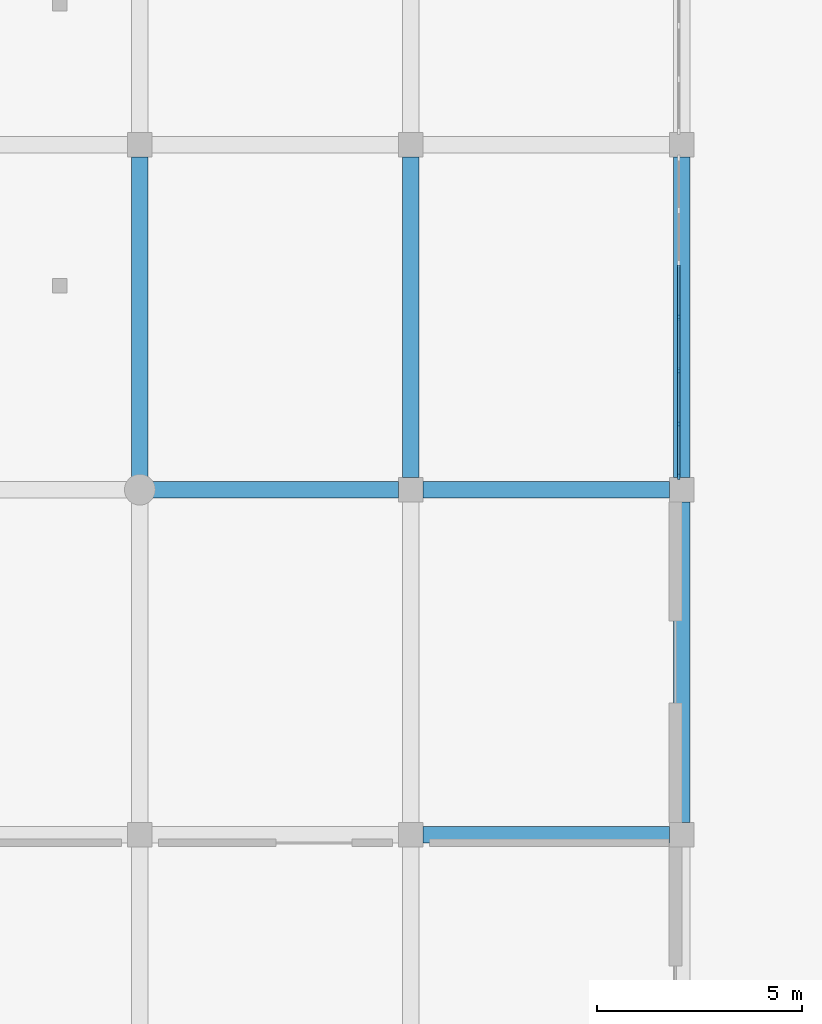
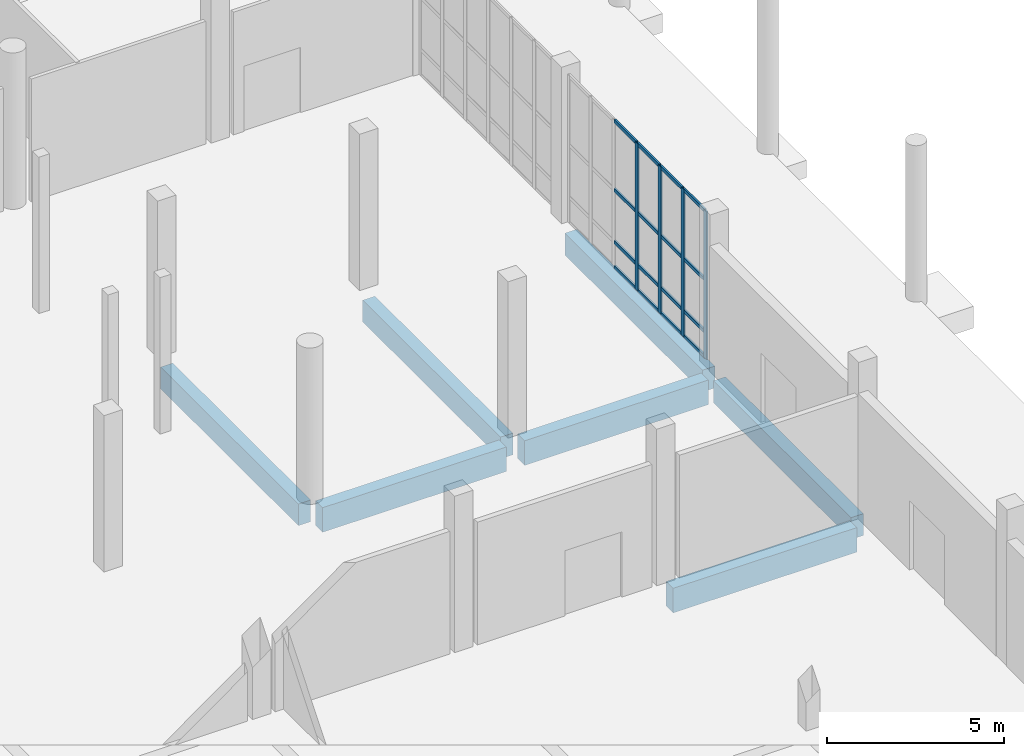
# One storey, part 5 of 64: 20 members, 7 beams, 1 element without a shape of its own.
"""IFC4 building model written with IfcOpenShell, lengths in metres."""

from ifc_helpers import new_model, si_unit, direction, frame, origin, origin_2d, place, context, subcontext, project, spatial, rectangle, extrude, material, material_profile, profile_set, type_object, element, aggregate, save


model = new_model("IFC4")

# Units and contexts
model_context = context("Model", 3, precision=1e-05, world=origin(), true_north=direction((0.0, 1.0)))
body_context = subcontext(model_context, "Body", "Model", "MODEL_VIEW")
ifc_project = project(units=[si_unit("LENGTHUNIT", "METRE"), si_unit("AREAUNIT", "SQUARE_METRE"), si_unit("VOLUMEUNIT", "CUBIC_METRE"), si_unit("PLANEANGLEUNIT", "RADIAN"), si_unit("MASSUNIT", "GRAM", prefix="KILO")], contexts=[model_context])

# Site, building, storey
site_placement = place(None, origin())
site = spatial("IfcSite", under=ifc_project, at=site_placement, CompositionType="ELEMENT")
building_placement = place(site_placement, origin())
building = spatial("IfcBuilding", under=site, at=building_placement, Name="Qaldarim Faculty of Natural and Applied Sciences", CompositionType="ELEMENT")
storey_placement = place(building_placement, origin())
storey = spatial("IfcBuildingStorey", under=building, at=storey_placement, Name="L00", CompositionType="ELEMENT", Elevation=0.0)

# Beams
ifc_material_1 = material(Name="Concrete C50/60", Category="concrete")
ifc_material_profile_1 = material_profile(ifc_material_1, rectangle(XDim=0.39990234375, YDim=0.75, at=origin_2d()), Name="RC-B400x750")
ifc_profile_set_1 = profile_set([ifc_material_profile_1], Name="Concrete C50/60")
beam_type_1 = type_object("IfcBeamType", Name="LabGirder-RC400x750", PredefinedType="BEAM", material=ifc_profile_set_1)
for number, where, z_axis, x_axis, name in (
    (1, (33.0, 59.10009765625, -0.735107421875), (0.0, 1.0, 0.0), (-1.0, 0.0, 0.0), "Beam RC-B400x750 B01 X06/Y08-Y09"),
    (2, (39.60009765625, 59.10009765625, -0.735107421875), (0.0, 1.0, 0.0), (-1.0, 0.0, 0.0), "Beam RC-B400x750 B01 X07/Y08-Y09"),
):
    element("IfcBeam", number, at=place(storey_placement, frame(where, z_axis=z_axis, x_axis=x_axis)), inside=storey, type_object=beam_type_1, Name=name, PredefinedType="BEAM", context=body_context, shape_type="SweptSolid", body=[
        extrude(rectangle(XDim=0.39990234375, YDim=0.75, at=origin_2d()), origin(), (0.0, 0.0, 1.0), 7.7998046875),
    ])
beam_1_placement = place(storey_placement, frame((46.199951171875, 50.699951171875, -0.735107421875), z_axis=(0.0, 1.0, 0.0), x_axis=(-1.0, 0.0, 0.0)))
element("IfcBeam", 3, at=beam_1_placement, inside=storey, type_object=beam_type_1, Name="Beam RC-B400x750 B01 X08/Y07-Y08", PredefinedType="BEAM", context=body_context, shape_type="SweptSolid", body=[
    extrude(rectangle(XDim=0.39990234375, YDim=0.75, at=origin_2d()), origin(), (0.0, 0.0, 1.0), 7.800048828125),
])
beam_2_placement = place(storey_placement, frame((46.199951171875, 59.10009765625, -0.735107421875), z_axis=(0.0, 1.0, 0.0), x_axis=(-1.0, 0.0, 0.0)))
element("IfcBeam", 4, at=beam_2_placement, inside=storey, type_object=beam_type_1, Name="Beam RC-B400x750 B01 X08/Y08-Y09", PredefinedType="BEAM", context=body_context, shape_type="SweptSolid", body=[
    extrude(rectangle(XDim=0.39990234375, YDim=0.75, at=origin_2d()), origin(), (0.0, 0.0, 1.0), 7.7998046875),
])

# Curtain wall, members
ifc_material_2 = material(Name="Anodised aluminium AW-6063", Category="aluminium")
curtain_wall_type = type_object("IfcCurtainWallType", Name="CurtainWallSystem-M1300", PredefinedType="USERDEFINED", material=ifc_material_2)
curtain_wall_placement = place(storey_placement, origin())
curtain_wall = element("IfcCurtainWall", 5, at=curtain_wall_placement, inside=storey, type_object=curtain_wall_type, Name="Curtain wall CW-L00-E-X07Y08", ObjectType="STICK CURTAIN WALL", PredefinedType="USERDEFINED")
ifc_material_profile_2 = material_profile(ifc_material_2, rectangle(XDim=0.06005859375, YDim=0.14990234375, at=origin_2d()), Name="ALU-M60x150")
ifc_profile_set_2 = profile_set([ifc_material_profile_2], Name="Anodised aluminium AW-6063")
member_type_1 = type_object("IfcMemberType", Name="Mullion-ALU60x150", PredefinedType="MULLION", material=ifc_profile_set_2)
member_1_placement = place(storey_placement, frame((46.1201171875, 59.125, 0.0), z_axis=(0.0, 0.0, 1.0), x_axis=(-1.0, 0.0, 0.0)))
member_1 = element("IfcMember", 6, at=member_1_placement, type_object=member_type_1, Name="Mullion 1 of CW-L00-E-X07Y08", PredefinedType="MULLION", context=body_context, shape_type="SweptSolid", body=[
    extrude(rectangle(XDim=0.06005859375, YDim=0.14990234375, at=origin_2d()), origin(), (0.0, 0.0, 1.0), 5.10009765625),
])
member_2_placement = place(storey_placement, frame((46.1201171875, 60.396728515625, 0.0), z_axis=(0.0, 0.0, 1.0), x_axis=(-1.0, 0.0, 0.0)))
member_2 = element("IfcMember", 7, at=member_2_placement, type_object=member_type_1, Name="Mullion 2 of CW-L00-E-X07Y08", PredefinedType="MULLION", context=body_context, shape_type="SweptSolid", body=[
    extrude(rectangle(XDim=0.06005859375, YDim=0.14990234375, at=origin_2d()), origin(), (0.0, 0.0, 1.0), 5.10009765625),
])
member_3_placement = place(storey_placement, frame((46.1201171875, 61.6982421875, 0.0), z_axis=(0.0, 0.0, 1.0), x_axis=(-1.0, 0.0, 0.0)))
member_3 = element("IfcMember", 8, at=member_3_placement, type_object=member_type_1, Name="Mullion 3 of CW-L00-E-X07Y08", PredefinedType="MULLION", context=body_context, shape_type="SweptSolid", body=[
    extrude(rectangle(XDim=0.06005859375, YDim=0.14990234375, at=origin_2d()), origin(), (0.0, 0.0, 1.0), 5.10009765625),
])
member_4_placement = place(storey_placement, frame((46.1201171875, 63.0, 0.0), z_axis=(0.0, 0.0, 1.0), x_axis=(-1.0, 0.0, 0.0)))
member_4 = element("IfcMember", 9, at=member_4_placement, type_object=member_type_1, Name="Mullion 4 of CW-L00-E-X07Y08", PredefinedType="MULLION", context=body_context, shape_type="SweptSolid", body=[
    extrude(rectangle(XDim=0.06005859375, YDim=0.14990234375, at=origin_2d()), origin(), (0.0, 0.0, 1.0), 5.10009765625),
])

# Beams
ifc_material_profile_3 = material_profile(ifc_material_1, rectangle(XDim=0.39990234375, YDim=0.85009765625, at=origin_2d()), Name="RC-B400x850")
ifc_profile_set_3 = profile_set([ifc_material_profile_3], Name="Concrete C50/60")
beam_type_2 = type_object("IfcBeamType", Name="PodiumGirder-RC400x850", PredefinedType="BEAM", material=ifc_profile_set_3)
for number, where, z_axis, x_axis, name in (
    (10, (39.89990234375, 50.39990234375, -0.784912109375), (1.0, 0.0, 0.0), (0.0, 1.0, 0.0), "Beam RC-B400x850 B01 X07-X08/Y07"),
    (11, (33.300048828125, 58.800048828125, -0.784912109375), (1.0, 0.0, 0.0), (0.0, 1.0, 0.0), "Beam RC-B400x850 B01 X06-X07/Y08"),
    (12, (39.89990234375, 58.800048828125, -0.784912109375), (1.0, 0.0, 0.0), (0.0, 1.0, 0.0), "Beam RC-B400x850 B01 X07-X08/Y08"),
):
    element("IfcBeam", number, at=place(storey_placement, frame(where, z_axis=z_axis, x_axis=x_axis)), inside=storey, type_object=beam_type_2, Name=name, PredefinedType="BEAM", context=body_context, shape_type="SweptSolid", body=[
        extrude(rectangle(XDim=0.39990234375, YDim=0.85009765625, at=origin_2d()), origin(), (0.0, 0.0, 1.0), 6.0),
    ])

# Member
ifc_material_profile_4 = material_profile(ifc_material_2, rectangle(XDim=0.06005859375, YDim=0.1201171875, at=origin_2d()), Name="ALU-T60x120")
ifc_profile_set_4 = profile_set([ifc_material_profile_4], Name="Anodised aluminium AW-6063")
member_type_2 = type_object("IfcMemberType", Name="Transom-ALU60x120", PredefinedType="USERDEFINED", material=ifc_profile_set_4)
member_5_placement = place(storey_placement, frame((46.1201171875, 59.155029296875, 0.030029296875), z_axis=(0.0, 1.0, 0.0), x_axis=(-1.0, 0.0, 0.0)))
member_5 = element("IfcMember", 13, at=member_5_placement, type_object=member_type_2, Name="Transom 1-1 of CW-L00-E-X07Y08", ObjectType="TRANSOM", PredefinedType="USERDEFINED", context=body_context, shape_type="SweptSolid", body=[
    extrude(rectangle(XDim=0.06005859375, YDim=0.1201171875, at=origin_2d()), origin(), (0.0, 0.0, 1.0), 1.211669921875),
])

member_6_placement = place(storey_placement, frame((46.1201171875, 59.155029296875, 0.89990234375), z_axis=(0.0, 1.0, 0.0), x_axis=(-1.0, 0.0, 0.0)))
member_6 = element("IfcMember", 14, at=member_6_placement, type_object=member_type_2, Name="Transom 1-2 of CW-L00-E-X07Y08", ObjectType="TRANSOM", PredefinedType="USERDEFINED", context=body_context, shape_type="SweptSolid", body=[
    extrude(rectangle(XDim=0.06005859375, YDim=0.1201171875, at=origin_2d()), origin(), (0.0, 0.0, 1.0), 1.211669921875),
])

member_7_placement = place(storey_placement, frame((46.1201171875, 59.155029296875, 2.699951171875), z_axis=(0.0, 1.0, 0.0), x_axis=(-1.0, 0.0, 0.0)))
member_7 = element("IfcMember", 15, at=member_7_placement, type_object=member_type_2, Name="Transom 1-3 of CW-L00-E-X07Y08", ObjectType="TRANSOM", PredefinedType="USERDEFINED", context=body_context, shape_type="SweptSolid", body=[
    extrude(rectangle(XDim=0.06005859375, YDim=0.1201171875, at=origin_2d()), origin(), (0.0, 0.0, 1.0), 1.211669921875),
])

member_8_placement = place(storey_placement, frame((46.1201171875, 59.155029296875, 5.070068359375), z_axis=(0.0, 1.0, 0.0), x_axis=(-1.0, 0.0, 0.0)))
member_8 = element("IfcMember", 16, at=member_8_placement, type_object=member_type_2, Name="Transom 1-4 of CW-L00-E-X07Y08", ObjectType="TRANSOM", PredefinedType="USERDEFINED", context=body_context, shape_type="SweptSolid", body=[
    extrude(rectangle(XDim=0.06005859375, YDim=0.1201171875, at=origin_2d()), origin(), (0.0, 0.0, 1.0), 1.211669921875),
])

member_9_placement = place(storey_placement, frame((46.1201171875, 60.4267578125, 0.030029296875), z_axis=(0.0, 1.0, 0.0), x_axis=(-1.0, 0.0, 0.0)))
member_9 = element("IfcMember", 17, at=member_9_placement, type_object=member_type_2, Name="Transom 2-1 of CW-L00-E-X07Y08", ObjectType="TRANSOM", PredefinedType="USERDEFINED", context=body_context, shape_type="SweptSolid", body=[
    extrude(rectangle(XDim=0.06005859375, YDim=0.1201171875, at=origin_2d()), origin(), (0.0, 0.0, 1.0), 1.241455078125),
])

member_10_placement = place(storey_placement, frame((46.1201171875, 60.4267578125, 0.89990234375), z_axis=(0.0, 1.0, 0.0), x_axis=(-1.0, 0.0, 0.0)))
member_10 = element("IfcMember", 18, at=member_10_placement, type_object=member_type_2, Name="Transom 2-2 of CW-L00-E-X07Y08", ObjectType="TRANSOM", PredefinedType="USERDEFINED", context=body_context, shape_type="SweptSolid", body=[
    extrude(rectangle(XDim=0.06005859375, YDim=0.1201171875, at=origin_2d()), origin(), (0.0, 0.0, 1.0), 1.241455078125),
])

member_11_placement = place(storey_placement, frame((46.1201171875, 60.4267578125, 2.699951171875), z_axis=(0.0, 1.0, 0.0), x_axis=(-1.0, 0.0, 0.0)))
member_11 = element("IfcMember", 19, at=member_11_placement, type_object=member_type_2, Name="Transom 2-3 of CW-L00-E-X07Y08", ObjectType="TRANSOM", PredefinedType="USERDEFINED", context=body_context, shape_type="SweptSolid", body=[
    extrude(rectangle(XDim=0.06005859375, YDim=0.1201171875, at=origin_2d()), origin(), (0.0, 0.0, 1.0), 1.241455078125),
])

member_12_placement = place(storey_placement, frame((46.1201171875, 60.4267578125, 5.070068359375), z_axis=(0.0, 1.0, 0.0), x_axis=(-1.0, 0.0, 0.0)))
member_12 = element("IfcMember", 20, at=member_12_placement, type_object=member_type_2, Name="Transom 2-4 of CW-L00-E-X07Y08", ObjectType="TRANSOM", PredefinedType="USERDEFINED", context=body_context, shape_type="SweptSolid", body=[
    extrude(rectangle(XDim=0.06005859375, YDim=0.1201171875, at=origin_2d()), origin(), (0.0, 0.0, 1.0), 1.241455078125),
])

member_13_placement = place(storey_placement, frame((46.1201171875, 61.728271484375, 0.030029296875), z_axis=(0.0, 1.0, 0.0), x_axis=(-1.0, 0.0, 0.0)))
member_13 = element("IfcMember", 21, at=member_13_placement, type_object=member_type_2, Name="Transom 3-1 of CW-L00-E-X07Y08", ObjectType="TRANSOM", PredefinedType="USERDEFINED", context=body_context, shape_type="SweptSolid", body=[
    extrude(rectangle(XDim=0.06005859375, YDim=0.1201171875, at=origin_2d()), origin(), (0.0, 0.0, 1.0), 1.24169921875),
])

member_14_placement = place(storey_placement, frame((46.1201171875, 61.728271484375, 0.89990234375), z_axis=(0.0, 1.0, 0.0), x_axis=(-1.0, 0.0, 0.0)))
member_14 = element("IfcMember", 22, at=member_14_placement, type_object=member_type_2, Name="Transom 3-2 of CW-L00-E-X07Y08", ObjectType="TRANSOM", PredefinedType="USERDEFINED", context=body_context, shape_type="SweptSolid", body=[
    extrude(rectangle(XDim=0.06005859375, YDim=0.1201171875, at=origin_2d()), origin(), (0.0, 0.0, 1.0), 1.24169921875),
])

member_15_placement = place(storey_placement, frame((46.1201171875, 61.728271484375, 2.699951171875), z_axis=(0.0, 1.0, 0.0), x_axis=(-1.0, 0.0, 0.0)))
member_15 = element("IfcMember", 23, at=member_15_placement, type_object=member_type_2, Name="Transom 3-3 of CW-L00-E-X07Y08", ObjectType="TRANSOM", PredefinedType="USERDEFINED", context=body_context, shape_type="SweptSolid", body=[
    extrude(rectangle(XDim=0.06005859375, YDim=0.1201171875, at=origin_2d()), origin(), (0.0, 0.0, 1.0), 1.24169921875),
])

member_16_placement = place(storey_placement, frame((46.1201171875, 61.728271484375, 5.070068359375), z_axis=(0.0, 1.0, 0.0), x_axis=(-1.0, 0.0, 0.0)))
member_16 = element("IfcMember", 24, at=member_16_placement, type_object=member_type_2, Name="Transom 3-4 of CW-L00-E-X07Y08", ObjectType="TRANSOM", PredefinedType="USERDEFINED", context=body_context, shape_type="SweptSolid", body=[
    extrude(rectangle(XDim=0.06005859375, YDim=0.1201171875, at=origin_2d()), origin(), (0.0, 0.0, 1.0), 1.24169921875),
])

member_17_placement = place(storey_placement, frame((46.1201171875, 63.030029296875, 0.030029296875), z_axis=(0.0, 1.0, 0.0), x_axis=(-1.0, 0.0, 0.0)))
member_17 = element("IfcMember", 25, at=member_17_placement, type_object=member_type_2, Name="Transom 4-1 of CW-L00-E-X07Y08", ObjectType="TRANSOM", PredefinedType="USERDEFINED", context=body_context, shape_type="SweptSolid", body=[
    extrude(rectangle(XDim=0.06005859375, YDim=0.1201171875, at=origin_2d()), origin(), (0.0, 0.0, 1.0), 1.24169921875),
])

member_18_placement = place(storey_placement, frame((46.1201171875, 63.030029296875, 0.89990234375), z_axis=(0.0, 1.0, 0.0), x_axis=(-1.0, 0.0, 0.0)))
member_18 = element("IfcMember", 26, at=member_18_placement, type_object=member_type_2, Name="Transom 4-2 of CW-L00-E-X07Y08", ObjectType="TRANSOM", PredefinedType="USERDEFINED", context=body_context, shape_type="SweptSolid", body=[
    extrude(rectangle(XDim=0.06005859375, YDim=0.1201171875, at=origin_2d()), origin(), (0.0, 0.0, 1.0), 1.24169921875),
])

member_19_placement = place(storey_placement, frame((46.1201171875, 63.030029296875, 2.699951171875), z_axis=(0.0, 1.0, 0.0), x_axis=(-1.0, 0.0, 0.0)))
member_19 = element("IfcMember", 27, at=member_19_placement, type_object=member_type_2, Name="Transom 4-3 of CW-L00-E-X07Y08", ObjectType="TRANSOM", PredefinedType="USERDEFINED", context=body_context, shape_type="SweptSolid", body=[
    extrude(rectangle(XDim=0.06005859375, YDim=0.1201171875, at=origin_2d()), origin(), (0.0, 0.0, 1.0), 1.24169921875),
])

member_20_placement = place(storey_placement, frame((46.1201171875, 63.030029296875, 5.070068359375), z_axis=(0.0, 1.0, 0.0), x_axis=(-1.0, 0.0, 0.0)))
member_20 = element("IfcMember", 28, at=member_20_placement, type_object=member_type_2, Name="Transom 4-4 of CW-L00-E-X07Y08", ObjectType="TRANSOM", PredefinedType="USERDEFINED", context=body_context, shape_type="SweptSolid", body=[
    extrude(rectangle(XDim=0.06005859375, YDim=0.1201171875, at=origin_2d()), origin(), (0.0, 0.0, 1.0), 1.24169921875),
])

aggregate(curtain_wall, [member_1, member_2, member_3, member_4, member_5, member_6, member_7, member_8, member_9, member_10, member_11, member_12, member_13, member_14, member_15, member_16, member_17, member_18, member_19, member_20])

save(model, "model.ifc")
